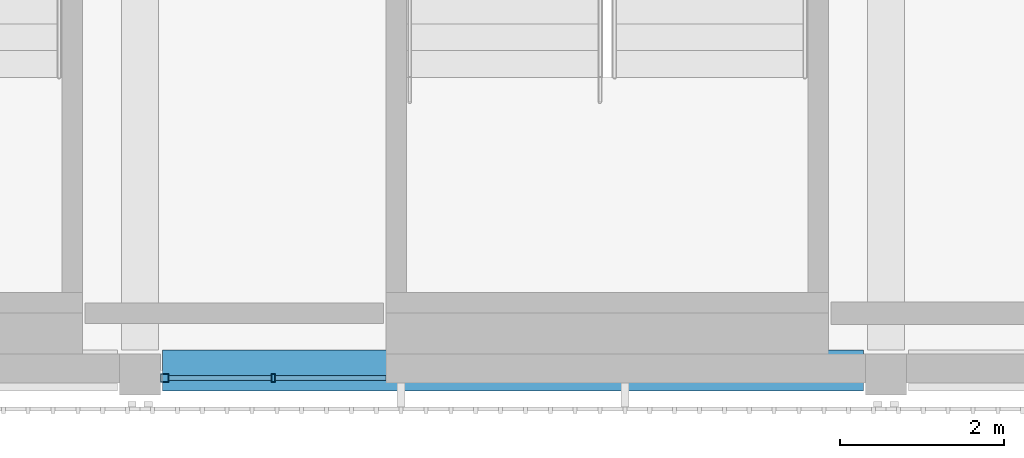
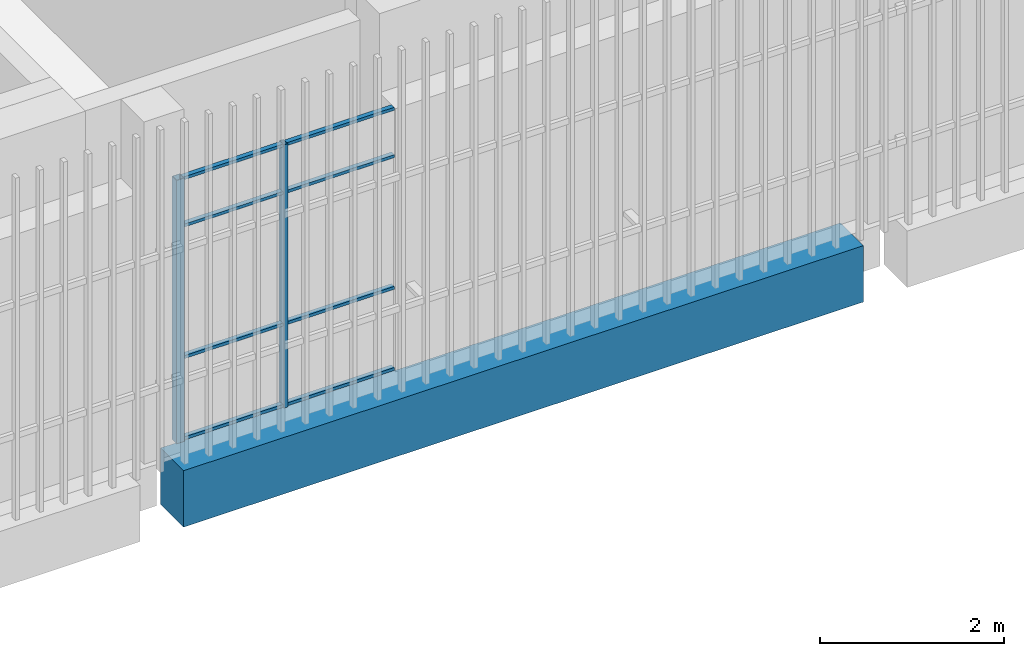
# One storey, part 40 of 104: 10 members, 1 beam, 1 element without a shape of its own.
"""IFC4 building model written with IfcOpenShell, lengths in metres."""

from ifc_helpers import new_model, si_unit, direction, frame, origin, origin_2d, place, context, subcontext, project, spatial, rectangle, hollow_rectangle, extrude, material, layer, layer_set, material_profile, profile_set, type_object, element, aggregate, save


model = new_model("IFC4")

# Units and contexts
model_context = context("Model", 3, precision=1e-05, world=origin(), true_north=direction((0.0, 1.0)))
body_context = subcontext(model_context, "Body", "Model", "MODEL_VIEW")
ifc_project = project(units=[si_unit("LENGTHUNIT", "METRE"), si_unit("AREAUNIT", "SQUARE_METRE"), si_unit("VOLUMEUNIT", "CUBIC_METRE"), si_unit("PLANEANGLEUNIT", "RADIAN"), si_unit("MASSUNIT", "GRAM", prefix="KILO")], contexts=[model_context])

# Site, building, storey
site_placement = place(None, origin())
site = spatial("IfcSite", under=ifc_project, at=site_placement, CompositionType="ELEMENT")
building_placement = place(site_placement, origin())
building = spatial("IfcBuilding", under=site, at=building_placement, Name="Shirokan Park Arena", CompositionType="ELEMENT")
storey_placement = place(building_placement, frame((0.0, 0.0, 10.919921875)))
storey = spatial("IfcBuildingStorey", under=building, at=storey_placement, Name="L02", CompositionType="ELEMENT", Elevation=10.919921875)

# Curtain wall, members
ifc_material_1 = material(Name="Steel and glass curtain wall", Category="steel")
ifc_layer = layer(ifc_material_1, 0.1201171875)
ifc_layer_set = layer_set([ifc_layer], Name="Steel and glass curtain wall 120 mm")
curtain_wall_type = type_object("IfcCurtainWallType", Name="Curtain wall corner block side bay 120", PredefinedType="NOTDEFINED", material=ifc_layer_set)
curtain_wall_placement = place(storey_placement, origin())
curtain_wall = element("IfcCurtainWall", 1, at=curtain_wall_placement, inside=storey, type_object=curtain_wall_type, Name="Curtain wall south bay 15 L02", PredefinedType="NOTDEFINED")
ifc_material_2 = material(Name="Steel S355", Category="steel")
ifc_material_profile_1 = material_profile(ifc_material_2, hollow_rectangle(XDim=0.10009765625, YDim=0.10009765625, WallThickness=0.006103515625, at=origin_2d()), Name="RHS 100x100x6")
ifc_profile_set_1 = profile_set([ifc_material_profile_1], Name="Steel S355")
member_type_1 = type_object("IfcMemberType", Name="Mullion RHS 100x100x6", PredefinedType="MULLION", material=ifc_profile_set_1)
member_1_placement = place(storey_placement, frame((127.699951171875, -0.090087890625, 0.0), z_axis=(0.0, 0.0, 1.0), x_axis=(0.0, 1.0, 0.0)))
member_1 = element("IfcMember", 2, at=member_1_placement, type_object=member_type_1, Name="CW3 mullion 1", PredefinedType="MULLION", context=body_context, shape_type="SweptSolid", body=[
    extrude(hollow_rectangle(XDim=0.10009765625, YDim=0.10009765625, WallThickness=0.006103515625, at=origin_2d()), origin(), (0.0, 0.0, 1.0), 3.5),
])
ifc_material_profile_2 = material_profile(ifc_material_2, hollow_rectangle(XDim=0.10009765625, YDim=0.050048828125, WallThickness=0.0048828125, at=origin_2d()), Name="RHS 100x50x5")
ifc_profile_set_2 = profile_set([ifc_material_profile_2], Name="Steel S355")
member_type_2 = type_object("IfcMemberType", Name="Mullion RHS 100x50x5", PredefinedType="MULLION", material=ifc_profile_set_2)
member_2_placement = place(storey_placement, frame((129.02490234375, -0.090087890625, 0.0), z_axis=(0.0, 0.0, 1.0), x_axis=(0.0, 1.0, 0.0)))
member_2 = element("IfcMember", 3, at=member_2_placement, type_object=member_type_2, Name="CW3 mullion 2", PredefinedType="MULLION", context=body_context, shape_type="SweptSolid", body=[
    extrude(hollow_rectangle(XDim=0.10009765625, YDim=0.050048828125, WallThickness=0.0048828125, at=origin_2d()), origin(), (0.0, 0.0, 1.0), 3.5),
])

# Beam
ifc_material_3 = material(Name="Concrete C35", Category="concrete")
ifc_material_profile_3 = material_profile(ifc_material_3, rectangle(XDim=0.5, YDim=0.75, at=origin_2d()), Name="500x750")
ifc_profile_set_3 = profile_set([ifc_material_profile_3], Name="Concrete C35")
beam_type = type_object("IfcBeamType", Name="RC girder 500x750", PredefinedType="BEAM", material=ifc_profile_set_3)
beam_placement = place(storey_placement, frame((127.675048828125, 0.0, -0.6748046875), z_axis=(1.0, 0.0, 0.0), x_axis=(0.0, 1.0, 0.0)))
element("IfcBeam", 4, at=beam_placement, inside=storey, type_object=beam_type, Name="Girder 15A-16A L02", PredefinedType="BEAM", context=body_context, shape_type="SweptSolid", body=[
    extrude(rectangle(XDim=0.5, YDim=0.75, at=origin_2d()), origin(), (0.0, 0.0, 1.0), 8.5498046875),
])

# Member
ifc_material_profile_4 = material_profile(ifc_material_2, hollow_rectangle(XDim=0.06005859375, YDim=0.0400390625, WallThickness=0.00390625, at=origin_2d()), Name="RHS 60x40x4")
ifc_profile_set_4 = profile_set([ifc_material_profile_4], Name="Steel S355")
member_type_3 = type_object("IfcMemberType", Name="Transom RHS 60x40x4", PredefinedType="MULLION", material=ifc_profile_set_4)
member_3_placement = place(storey_placement, frame((127.75, -0.090087890625, 0.02001953125), z_axis=(1.0, 0.0, 0.0), x_axis=(0.0, 1.0, 0.0)))
member_3 = element("IfcMember", 5, at=member_3_placement, type_object=member_type_3, Name="CW3 transom 1.1", PredefinedType="MULLION", context=body_context, shape_type="SweptSolid", body=[
    extrude(hollow_rectangle(XDim=0.06005859375, YDim=0.0400390625, WallThickness=0.00390625, at=origin_2d()), origin(), (0.0, 0.0, 1.0), 1.25),
])

member_4_placement = place(storey_placement, frame((127.75, -0.090087890625, 1.10009765625), z_axis=(1.0, 0.0, 0.0), x_axis=(0.0, 1.0, 0.0)))
member_4 = element("IfcMember", 6, at=member_4_placement, type_object=member_type_3, Name="CW3 transom 1.2", PredefinedType="MULLION", context=body_context, shape_type="SweptSolid", body=[
    extrude(hollow_rectangle(XDim=0.06005859375, YDim=0.0400390625, WallThickness=0.00390625, at=origin_2d()), origin(), (0.0, 0.0, 1.0), 1.25),
])

member_5_placement = place(storey_placement, frame((127.75, -0.090087890625, 2.85009765625), z_axis=(1.0, 0.0, 0.0), x_axis=(0.0, 1.0, 0.0)))
member_5 = element("IfcMember", 7, at=member_5_placement, type_object=member_type_3, Name="CW3 transom 1.3", PredefinedType="MULLION", context=body_context, shape_type="SweptSolid", body=[
    extrude(hollow_rectangle(XDim=0.06005859375, YDim=0.0400390625, WallThickness=0.00390625, at=origin_2d()), origin(), (0.0, 0.0, 1.0), 1.25),
])

member_6_placement = place(storey_placement, frame((127.75, -0.090087890625, 3.47998046875), z_axis=(1.0, 0.0, 0.0), x_axis=(0.0, 1.0, 0.0)))
member_6 = element("IfcMember", 8, at=member_6_placement, type_object=member_type_3, Name="CW3 transom 1.4", PredefinedType="MULLION", context=body_context, shape_type="SweptSolid", body=[
    extrude(hollow_rectangle(XDim=0.06005859375, YDim=0.0400390625, WallThickness=0.00390625, at=origin_2d()), origin(), (0.0, 0.0, 1.0), 1.25),
])

member_7_placement = place(storey_placement, frame((129.050048828125, -0.090087890625, 0.02001953125), z_axis=(1.0, 0.0, 0.0), x_axis=(0.0, 1.0, 0.0)))
member_7 = element("IfcMember", 9, at=member_7_placement, type_object=member_type_3, Name="CW3 transom 2.1", PredefinedType="MULLION", context=body_context, shape_type="SweptSolid", body=[
    extrude(hollow_rectangle(XDim=0.06005859375, YDim=0.0400390625, WallThickness=0.00390625, at=origin_2d()), origin(), (0.0, 0.0, 1.0), 1.349853515625),
])

member_8_placement = place(storey_placement, frame((129.050048828125, -0.090087890625, 1.10009765625), z_axis=(1.0, 0.0, 0.0), x_axis=(0.0, 1.0, 0.0)))
member_8 = element("IfcMember", 10, at=member_8_placement, type_object=member_type_3, Name="CW3 transom 2.2", PredefinedType="MULLION", context=body_context, shape_type="SweptSolid", body=[
    extrude(hollow_rectangle(XDim=0.06005859375, YDim=0.0400390625, WallThickness=0.00390625, at=origin_2d()), origin(), (0.0, 0.0, 1.0), 1.349853515625),
])

member_9_placement = place(storey_placement, frame((129.050048828125, -0.090087890625, 2.85009765625), z_axis=(1.0, 0.0, 0.0), x_axis=(0.0, 1.0, 0.0)))
member_9 = element("IfcMember", 11, at=member_9_placement, type_object=member_type_3, Name="CW3 transom 2.3", PredefinedType="MULLION", context=body_context, shape_type="SweptSolid", body=[
    extrude(hollow_rectangle(XDim=0.06005859375, YDim=0.0400390625, WallThickness=0.00390625, at=origin_2d()), origin(), (0.0, 0.0, 1.0), 1.349853515625),
])

member_10_placement = place(storey_placement, frame((129.050048828125, -0.090087890625, 3.47998046875), z_axis=(1.0, 0.0, 0.0), x_axis=(0.0, 1.0, 0.0)))
member_10 = element("IfcMember", 12, at=member_10_placement, type_object=member_type_3, Name="CW3 transom 2.4", PredefinedType="MULLION", context=body_context, shape_type="SweptSolid", body=[
    extrude(hollow_rectangle(XDim=0.06005859375, YDim=0.0400390625, WallThickness=0.00390625, at=origin_2d()), origin(), (0.0, 0.0, 1.0), 1.349853515625),
])

aggregate(curtain_wall, [member_1, member_2, member_3, member_4, member_5, member_6, member_7, member_8, member_9, member_10])

save(model, "model.ifc")
